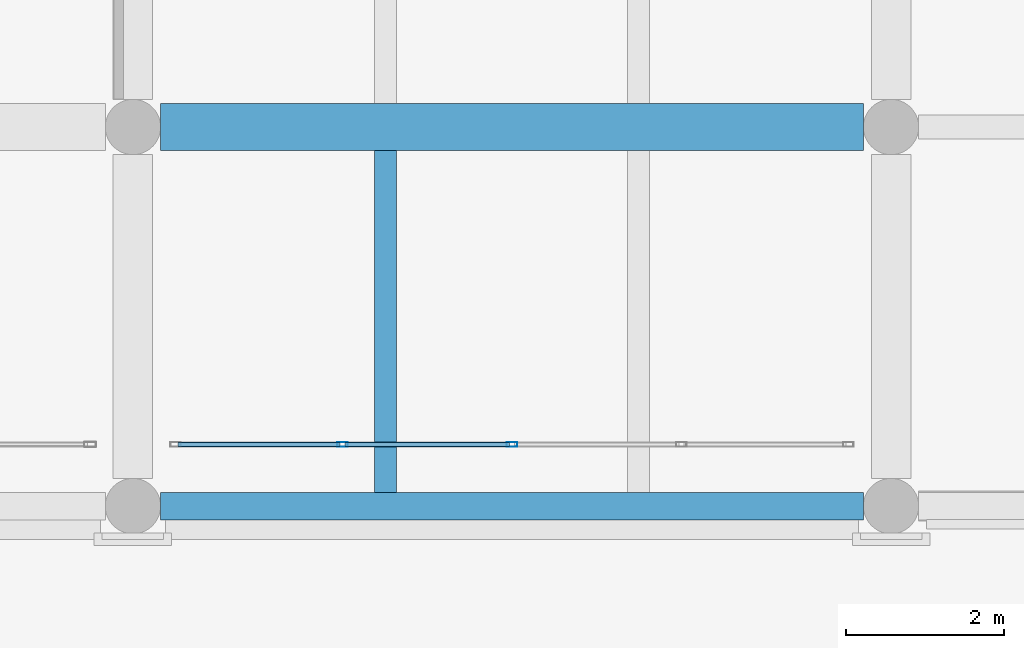
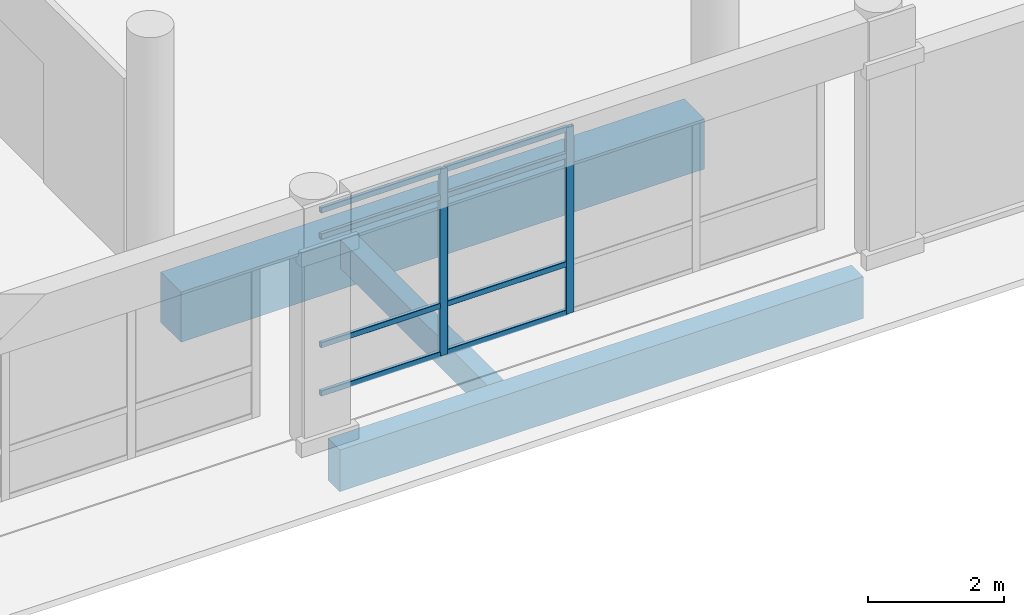
# One storey, part 22 of 196: 10 members, 3 beams, 1 element without a shape of its own.
"""IFC4 building model written with IfcOpenShell, lengths in metres."""

from ifc_helpers import new_model, si_unit, direction, frame, origin, origin_2d, place, context, subcontext, project, spatial, rectangle, hollow_rectangle, extrude, material, layer, layer_set, material_profile, profile_set, type_object, element, aggregate, save


model = new_model("IFC4")

# Units and contexts
model_context = context("Model", 3, precision=1e-05, world=origin(), true_north=direction((0.0, 1.0)))
body_context = subcontext(model_context, "Body", "Model", "MODEL_VIEW")
ifc_project = project(units=[si_unit("LENGTHUNIT", "METRE"), si_unit("AREAUNIT", "SQUARE_METRE"), si_unit("VOLUMEUNIT", "CUBIC_METRE"), si_unit("PLANEANGLEUNIT", "RADIAN"), si_unit("MASSUNIT", "GRAM", prefix="KILO")], contexts=[model_context])

# Site, building, storey
site_placement = place(None, origin())
site = spatial("IfcSite", under=ifc_project, at=site_placement, CompositionType="ELEMENT")
building_placement = place(site_placement, origin())
building = spatial("IfcBuilding", under=site, at=building_placement, Name="Asteropetra Specialist Clinic", CompositionType="ELEMENT")
storey_placement = place(building_placement, origin())
storey = spatial("IfcBuildingStorey", under=building, at=storey_placement, Name="L00", CompositionType="ELEMENT", Elevation=0.0)

# Beam
ifc_material_1 = material(Name="Concrete C35/45", Category="concrete")
ifc_material_profile_1 = material_profile(ifc_material_1, rectangle(XDim=0.60009765625, YDim=0.89990234375, at=origin_2d()), Name="RCB 600x900")
ifc_profile_set_1 = profile_set([ifc_material_profile_1], Name="Concrete C35/45")
beam_type_1 = type_object("IfcBeamType", Name="BM-RC600x900", PredefinedType="BEAM", material=ifc_profile_set_1)
beam_1_placement = place(storey_placement, frame((9.949951171875, 4.800048828125, -0.7900390625), z_axis=(1.0, 0.0, 0.0), x_axis=(0.0, 1.0, 0.0)))
element("IfcBeam", 1, at=beam_1_placement, inside=storey, type_object=beam_type_1, Name="Beam BBM02-0008", PredefinedType="BEAM", context=body_context, shape_type="SweptSolid", body=[
    extrude(rectangle(XDim=0.60009765625, YDim=0.89990234375, at=origin_2d()), origin(), (0.0, 0.0, 1.0), 8.900146484375),
])

# Curtain wall, members
ifc_material_2 = material(Name="Aluminium and low-E glass", Category="aluminium")
ifc_layer = layer(ifc_material_2, 0.179931640625)
ifc_layer_set = layer_set([ifc_layer], Name="Aluminium and low-E glass")
curtain_wall_type = type_object("IfcCurtainWallType", Name="CW-SYS-10", PredefinedType="USERDEFINED", material=ifc_layer_set)
curtain_wall_placement = place(storey_placement, origin())
curtain_wall = element("IfcCurtainWall", 2, at=curtain_wall_placement, inside=storey, type_object=curtain_wall_type, Name="Curtain Wall CW-122", ObjectType="STICK GLAZED COLONNADE", PredefinedType="USERDEFINED")
ifc_material_3 = material(Name="Aluminium 6063-T6", Category="aluminium")
ifc_material_profile_2 = material_profile(ifc_material_3, hollow_rectangle(XDim=0.06005859375, YDim=0.135009765625, WallThickness=0.00341796875, InnerFilletRadius=0.00341796875, OuterFilletRadius=0.007080078125, at=origin_2d()), Name="MUL 135x60x3.5")
ifc_profile_set_2 = profile_set([ifc_material_profile_2], Name="Aluminium 6063-T6")
member_type_1 = type_object("IfcMemberType", Name="CWM-135x60", PredefinedType="MULLION", material=ifc_profile_set_2)
member_1_placement = place(storey_placement, frame((12.2548828125, 0.780029296875, 0.0), z_axis=(0.0, 0.0, 1.0), x_axis=(0.0, 1.0, 0.0)))
member_1 = element("IfcMember", 3, at=member_1_placement, type_object=member_type_1, Name="CW-122 mullion 2", PredefinedType="MULLION", context=body_context, shape_type="SweptSolid", body=[
    extrude(hollow_rectangle(XDim=0.06005859375, YDim=0.135009765625, WallThickness=0.00341796875, InnerFilletRadius=0.00341796875, OuterFilletRadius=0.007080078125, at=origin_2d()), origin(), (0.0, 0.0, 1.0), 3.35009765625),
])
member_2_placement = place(storey_placement, frame((14.39990234375, 0.780029296875, 0.0), z_axis=(0.0, 0.0, 1.0), x_axis=(0.0, 1.0, 0.0)))
member_2 = element("IfcMember", 4, at=member_2_placement, type_object=member_type_1, Name="CW-122 mullion 3", PredefinedType="MULLION", context=body_context, shape_type="SweptSolid", body=[
    extrude(hollow_rectangle(XDim=0.06005859375, YDim=0.135009765625, WallThickness=0.00341796875, InnerFilletRadius=0.00341796875, OuterFilletRadius=0.007080078125, at=origin_2d()), origin(), (0.0, 0.0, 1.0), 3.35009765625),
])
ifc_material_4 = material(Name="Aluminium 6063-T6", Category="aluminium")
ifc_material_profile_3 = material_profile(ifc_material_4, hollow_rectangle(XDim=0.06005859375, YDim=0.10009765625, WallThickness=0.00341796875, InnerFilletRadius=0.00341796875, OuterFilletRadius=0.007080078125, at=origin_2d()), Name="TRN 100x60x3.5")
ifc_profile_set_3 = profile_set([ifc_material_profile_3], Name="Aluminium 6063-T6")
member_type_2 = type_object("IfcMemberType", Name="CWT-100x60", PredefinedType="USERDEFINED", material=ifc_profile_set_3)
member_3_placement = place(storey_placement, frame((10.169921875, 0.780029296875, 0.030029296875), z_axis=(1.0, 0.0, 0.0), x_axis=(0.0, 1.0, 0.0)))
member_3 = element("IfcMember", 5, at=member_3_placement, type_object=member_type_2, Name="CW-122 transom 1.1", ObjectType="TRANSOM", PredefinedType="USERDEFINED", context=body_context, shape_type="SweptSolid", body=[
    extrude(hollow_rectangle(XDim=0.06005859375, YDim=0.10009765625, WallThickness=0.00341796875, InnerFilletRadius=0.00341796875, OuterFilletRadius=0.007080078125, at=origin_2d()), origin(), (0.0, 0.0, 1.0), 2.05517578125),
])
member_4_placement = place(storey_placement, frame((10.169921875, 0.780029296875, 0.89990234375), z_axis=(1.0, 0.0, 0.0), x_axis=(0.0, 1.0, 0.0)))
member_4 = element("IfcMember", 6, at=member_4_placement, type_object=member_type_2, Name="CW-122 transom 1.2", ObjectType="TRANSOM", PredefinedType="USERDEFINED", context=body_context, shape_type="SweptSolid", body=[
    extrude(hollow_rectangle(XDim=0.06005859375, YDim=0.10009765625, WallThickness=0.00341796875, InnerFilletRadius=0.00341796875, OuterFilletRadius=0.007080078125, at=origin_2d()), origin(), (0.0, 0.0, 1.0), 2.05517578125),
])
member_5_placement = place(storey_placement, frame((10.169921875, 0.780029296875, 2.85009765625), z_axis=(1.0, 0.0, 0.0), x_axis=(0.0, 1.0, 0.0)))
member_5 = element("IfcMember", 7, at=member_5_placement, type_object=member_type_2, Name="CW-122 transom 1.3", ObjectType="TRANSOM", PredefinedType="USERDEFINED", context=body_context, shape_type="SweptSolid", body=[
    extrude(hollow_rectangle(XDim=0.06005859375, YDim=0.10009765625, WallThickness=0.00341796875, InnerFilletRadius=0.00341796875, OuterFilletRadius=0.007080078125, at=origin_2d()), origin(), (0.0, 0.0, 1.0), 2.05517578125),
])
member_6_placement = place(storey_placement, frame((10.169921875, 0.780029296875, 3.320068359375), z_axis=(1.0, 0.0, 0.0), x_axis=(0.0, 1.0, 0.0)))
member_6 = element("IfcMember", 8, at=member_6_placement, type_object=member_type_2, Name="CW-122 transom 1.4", ObjectType="TRANSOM", PredefinedType="USERDEFINED", context=body_context, shape_type="SweptSolid", body=[
    extrude(hollow_rectangle(XDim=0.06005859375, YDim=0.10009765625, WallThickness=0.00341796875, InnerFilletRadius=0.00341796875, OuterFilletRadius=0.007080078125, at=origin_2d()), origin(), (0.0, 0.0, 1.0), 2.05517578125),
])
member_7_placement = place(storey_placement, frame((12.284912109375, 0.780029296875, 0.030029296875), z_axis=(1.0, 0.0, 0.0), x_axis=(0.0, 1.0, 0.0)))
member_7 = element("IfcMember", 9, at=member_7_placement, type_object=member_type_2, Name="CW-122 transom 2.1", ObjectType="TRANSOM", PredefinedType="USERDEFINED", context=body_context, shape_type="SweptSolid", body=[
    extrude(hollow_rectangle(XDim=0.06005859375, YDim=0.10009765625, WallThickness=0.00341796875, InnerFilletRadius=0.00341796875, OuterFilletRadius=0.007080078125, at=origin_2d()), origin(), (0.0, 0.0, 1.0), 2.085205078125),
])
member_8_placement = place(storey_placement, frame((12.284912109375, 0.780029296875, 0.89990234375), z_axis=(1.0, 0.0, 0.0), x_axis=(0.0, 1.0, 0.0)))
member_8 = element("IfcMember", 10, at=member_8_placement, type_object=member_type_2, Name="CW-122 transom 2.2", ObjectType="TRANSOM", PredefinedType="USERDEFINED", context=body_context, shape_type="SweptSolid", body=[
    extrude(hollow_rectangle(XDim=0.06005859375, YDim=0.10009765625, WallThickness=0.00341796875, InnerFilletRadius=0.00341796875, OuterFilletRadius=0.007080078125, at=origin_2d()), origin(), (0.0, 0.0, 1.0), 2.085205078125),
])
member_9_placement = place(storey_placement, frame((12.284912109375, 0.780029296875, 2.85009765625), z_axis=(1.0, 0.0, 0.0), x_axis=(0.0, 1.0, 0.0)))
member_9 = element("IfcMember", 11, at=member_9_placement, type_object=member_type_2, Name="CW-122 transom 2.3", ObjectType="TRANSOM", PredefinedType="USERDEFINED", context=body_context, shape_type="SweptSolid", body=[
    extrude(hollow_rectangle(XDim=0.06005859375, YDim=0.10009765625, WallThickness=0.00341796875, InnerFilletRadius=0.00341796875, OuterFilletRadius=0.007080078125, at=origin_2d()), origin(), (0.0, 0.0, 1.0), 2.085205078125),
])
member_10_placement = place(storey_placement, frame((12.284912109375, 0.780029296875, 3.320068359375), z_axis=(1.0, 0.0, 0.0), x_axis=(0.0, 1.0, 0.0)))
member_10 = element("IfcMember", 12, at=member_10_placement, type_object=member_type_2, Name="CW-122 transom 2.4", ObjectType="TRANSOM", PredefinedType="USERDEFINED", context=body_context, shape_type="SweptSolid", body=[
    extrude(hollow_rectangle(XDim=0.06005859375, YDim=0.10009765625, WallThickness=0.00341796875, InnerFilletRadius=0.00341796875, OuterFilletRadius=0.007080078125, at=origin_2d()), origin(), (0.0, 0.0, 1.0), 2.085205078125),
])
aggregate(curtain_wall, [member_1, member_2, member_3, member_4, member_5, member_6, member_7, member_8, member_9, member_10])

# Beams
ifc_material_5 = material(Name="Concrete C35/45", Category="concrete")
ifc_material_profile_4 = material_profile(ifc_material_5, rectangle(XDim=0.280029296875, YDim=0.52001953125, at=origin_2d()), Name="RCJ 280x520")
ifc_profile_set_4 = profile_set([ifc_material_profile_4], Name="Concrete C35/45")
beam_type_2 = type_object("IfcBeamType", Name="JST-RC280x520", PredefinedType="JOIST", material=ifc_profile_set_4)
beam_2_placement = place(storey_placement, frame((12.800048828125, 0.175048828125, -0.60009765625), z_axis=(0.0, 1.0, 0.0), x_axis=(-1.0, 0.0, 0.0)))
element("IfcBeam", 13, at=beam_2_placement, inside=storey, type_object=beam_type_2, Name="Joist JJST01-0040", PredefinedType="JOIST", context=body_context, shape_type="SweptSolid", body=[
    extrude(rectangle(XDim=0.280029296875, YDim=0.52001953125, at=origin_2d()), origin(), (0.0, 0.0, 1.0), 4.324951171875),
])
ifc_material_6 = material(Name="Concrete C35/45", Category="concrete")
ifc_material_profile_5 = material_profile(ifc_material_6, rectangle(XDim=0.35009765625, YDim=0.75, at=origin_2d()), Name="RCS 350x750")
ifc_profile_set_5 = profile_set([ifc_material_profile_5], Name="Concrete C35/45")
beam_type_3 = type_object("IfcBeamType", Name="SPN-RC350x750", PredefinedType="SPANDREL", material=ifc_profile_set_5)
beam_3_placement = place(storey_placement, frame((9.949951171875, 0.0, -0.715087890625), z_axis=(1.0, 0.0, 0.0), x_axis=(0.0, 1.0, 0.0)))
element("IfcBeam", 14, at=beam_3_placement, inside=storey, type_object=beam_type_3, Name="Beam BSPN01-0002", PredefinedType="SPANDREL", context=body_context, shape_type="SweptSolid", body=[
    extrude(rectangle(XDim=0.35009765625, YDim=0.75, at=origin_2d()), origin(), (0.0, 0.0, 1.0), 8.900146484375),
])

save(model, "model.ifc")
